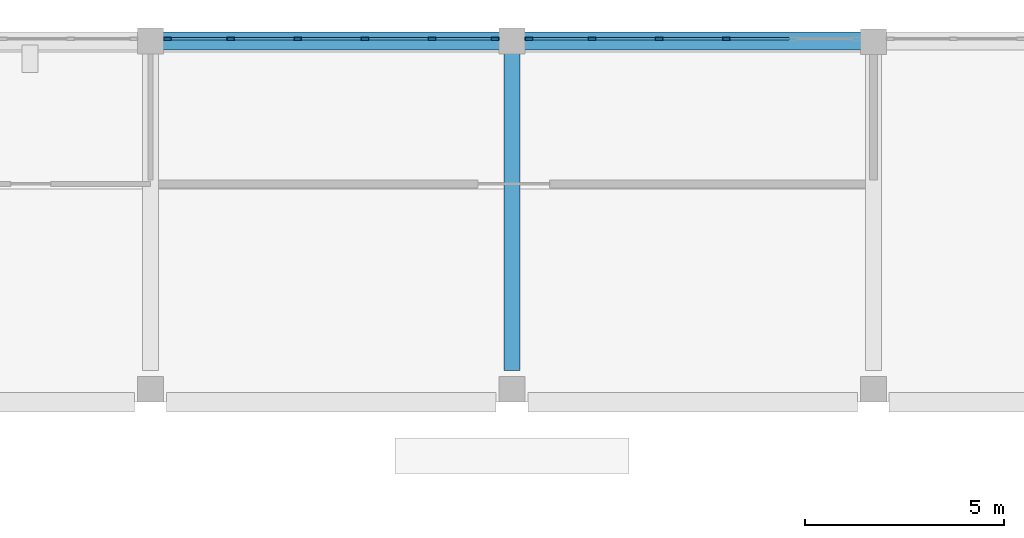
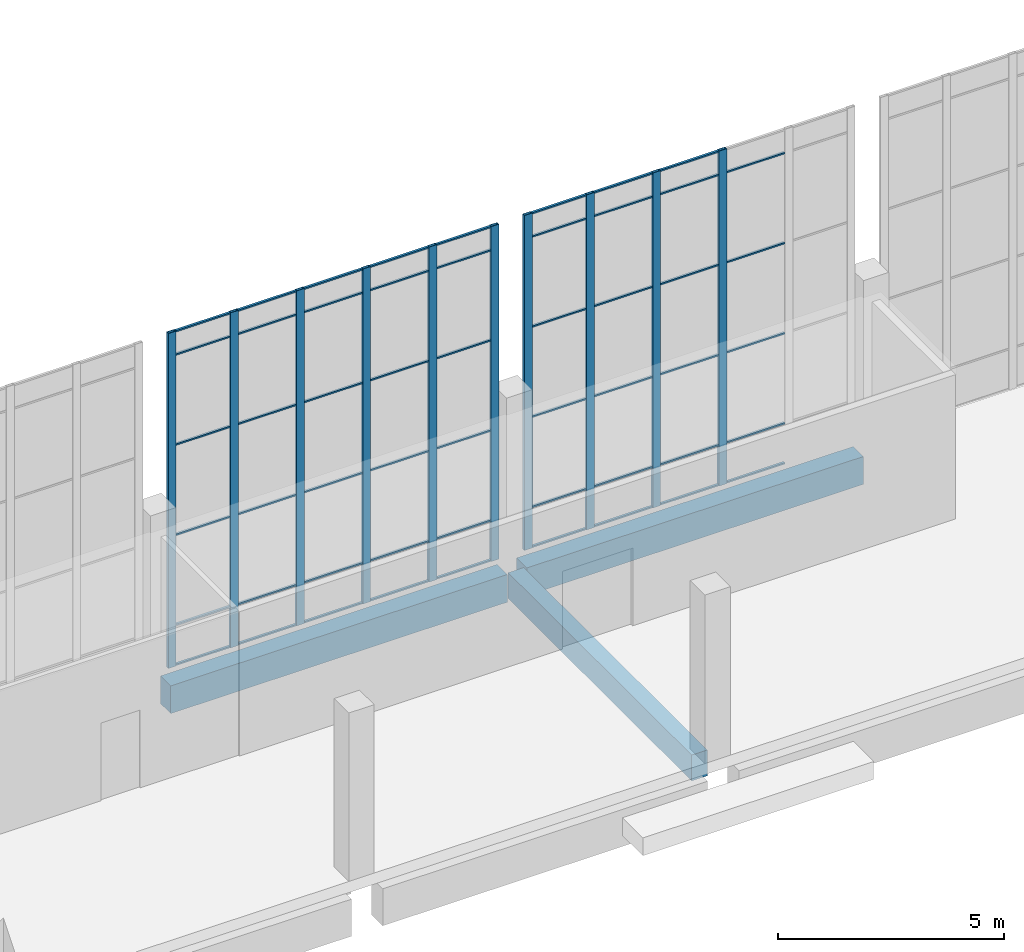
# One storey, part 21 of 91: 63 members, 3 beams, 2 elements without a shape of their own.
"""IFC4 building model written with IfcOpenShell, lengths in metres."""

from ifc_helpers import new_model, si_unit, direction, frame, origin, origin_2d, place, context, subcontext, project, spatial, rectangle, hollow_rectangle, extrude, material, layer, layer_set, material_profile, profile_set, type_object, element, aggregate, save


model = new_model("IFC4")

# Units and contexts
model_context = context("Model", 3, precision=1e-05, world=origin(), true_north=direction((0.0, 1.0)))
body_context = subcontext(model_context, "Body", "Model", "MODEL_VIEW")
ifc_project = project(units=[si_unit("LENGTHUNIT", "METRE"), si_unit("AREAUNIT", "SQUARE_METRE"), si_unit("VOLUMEUNIT", "CUBIC_METRE"), si_unit("PLANEANGLEUNIT", "RADIAN"), si_unit("MASSUNIT", "GRAM", prefix="KILO")], contexts=[model_context])

# Site, building, storey
site_placement = place(None, origin())
site = spatial("IfcSite", under=ifc_project, at=site_placement, CompositionType="ELEMENT")
building_placement = place(site_placement, origin())
building = spatial("IfcBuilding", under=site, at=building_placement, Name="Shirokan Park Arena", CompositionType="ELEMENT")
storey_placement = place(building_placement, frame((0.0, 0.0, 24.570068359375)))
storey = spatial("IfcBuildingStorey", under=building, at=storey_placement, Name="L05", CompositionType="ELEMENT", Elevation=24.570068359375)

# Curtain wall, members
ifc_material_1 = material(Name="Steel and glass curtain wall", Category="steel")
ifc_layer = layer(ifc_material_1, 0.199951171875)
ifc_layer_set = layer_set([ifc_layer], Name="Steel and glass curtain wall 200 mm")
curtain_wall_type = type_object("IfcCurtainWallType", Name="Curtain wall hall bay 200", PredefinedType="NOTDEFINED", material=ifc_layer_set)
curtain_wall_1_placement = place(storey_placement, origin())
curtain_wall_1 = element("IfcCurtainWall", 1, at=curtain_wall_1_placement, inside=storey, type_object=curtain_wall_type, Name="Curtain wall north bay 8 L05", PredefinedType="NOTDEFINED")
ifc_material_2 = material(Name="Steel S355", Category="steel")
ifc_material_profile_1 = material_profile(ifc_material_2, hollow_rectangle(XDim=0.080078125, YDim=0.199951171875, WallThickness=0.008056640625, at=origin_2d()), Name="RHS 200x80x8")
ifc_profile_set_1 = profile_set([ifc_material_profile_1], Name="Steel S355")
member_type_1 = type_object("IfcMemberType", Name="Mullion RHS 200x80x8", PredefinedType="MULLION", material=ifc_profile_set_1)
member_1_placement = place(storey_placement, frame((78.195068359375, 109.25, 0.0), z_axis=(0.0, 0.0, 1.0), x_axis=(0.0, -1.0, 0.0)))
member_1 = element("IfcMember", 2, at=member_1_placement, type_object=member_type_1, Name="CW5 mullion 3", PredefinedType="MULLION", context=body_context, shape_type="SweptSolid", body=[
    extrude(hollow_rectangle(XDim=0.080078125, YDim=0.199951171875, WallThickness=0.008056640625, at=origin_2d()), origin(), (0.0, 0.0, 1.0), 9.050048828125),
])
member_2_placement = place(storey_placement, frame((76.5048828125, 109.25, 0.0), z_axis=(0.0, 0.0, 1.0), x_axis=(0.0, -1.0, 0.0)))
member_2 = element("IfcMember", 3, at=member_2_placement, type_object=member_type_1, Name="CW5 mullion 4", PredefinedType="MULLION", context=body_context, shape_type="SweptSolid", body=[
    extrude(hollow_rectangle(XDim=0.080078125, YDim=0.199951171875, WallThickness=0.008056640625, at=origin_2d()), origin(), (0.0, 0.0, 1.0), 9.050048828125),
])
member_3_placement = place(storey_placement, frame((74.81494140625, 109.25, 0.0), z_axis=(0.0, 0.0, 1.0), x_axis=(0.0, -1.0, 0.0)))
member_3 = element("IfcMember", 4, at=member_3_placement, type_object=member_type_1, Name="CW5 mullion 5", PredefinedType="MULLION", context=body_context, shape_type="SweptSolid", body=[
    extrude(hollow_rectangle(XDim=0.080078125, YDim=0.199951171875, WallThickness=0.008056640625, at=origin_2d()), origin(), (0.0, 0.0, 1.0), 9.050048828125),
])
member_4_placement = place(storey_placement, frame((73.22509765625, 109.25, 0.0), z_axis=(0.0, 0.0, 1.0), x_axis=(0.0, -1.0, 0.0)))
member_4 = element("IfcMember", 5, at=member_4_placement, type_object=member_type_1, Name="CW5 mullion 6", PredefinedType="MULLION", context=body_context, shape_type="SweptSolid", body=[
    extrude(hollow_rectangle(XDim=0.080078125, YDim=0.199951171875, WallThickness=0.008056640625, at=origin_2d()), origin(), (0.0, 0.0, 1.0), 9.050048828125),
])

curtain_wall_2_placement = place(storey_placement, origin())
curtain_wall_2 = element("IfcCurtainWall", 6, at=curtain_wall_2_placement, inside=storey, type_object=curtain_wall_type, Name="Curtain wall north bay 9 L05", PredefinedType="NOTDEFINED")
member_5_placement = place(storey_placement, frame((72.375, 109.25, 0.0), z_axis=(0.0, 0.0, 1.0), x_axis=(0.0, -1.0, 0.0)))
member_5 = element("IfcMember", 7, at=member_5_placement, type_object=member_type_1, Name="CW5 mullion 1", PredefinedType="MULLION", context=body_context, shape_type="SweptSolid", body=[
    extrude(hollow_rectangle(XDim=0.080078125, YDim=0.199951171875, WallThickness=0.008056640625, at=origin_2d()), origin(), (0.0, 0.0, 1.0), 9.050048828125),
])
member_6_placement = place(storey_placement, frame((70.784912109375, 109.25, 0.0), z_axis=(0.0, 0.0, 1.0), x_axis=(0.0, -1.0, 0.0)))
member_6 = element("IfcMember", 8, at=member_6_placement, type_object=member_type_1, Name="CW5 mullion 2", PredefinedType="MULLION", context=body_context, shape_type="SweptSolid", body=[
    extrude(hollow_rectangle(XDim=0.080078125, YDim=0.199951171875, WallThickness=0.008056640625, at=origin_2d()), origin(), (0.0, 0.0, 1.0), 9.050048828125),
])
member_7_placement = place(storey_placement, frame((69.094970703125, 109.25, 0.0), z_axis=(0.0, 0.0, 1.0), x_axis=(0.0, -1.0, 0.0)))
member_7 = element("IfcMember", 9, at=member_7_placement, type_object=member_type_1, Name="CW5 mullion 3", PredefinedType="MULLION", context=body_context, shape_type="SweptSolid", body=[
    extrude(hollow_rectangle(XDim=0.080078125, YDim=0.199951171875, WallThickness=0.008056640625, at=origin_2d()), origin(), (0.0, 0.0, 1.0), 9.050048828125),
])
member_8_placement = place(storey_placement, frame((67.405029296875, 109.25, 0.0), z_axis=(0.0, 0.0, 1.0), x_axis=(0.0, -1.0, 0.0)))
member_8 = element("IfcMember", 10, at=member_8_placement, type_object=member_type_1, Name="CW5 mullion 4", PredefinedType="MULLION", context=body_context, shape_type="SweptSolid", body=[
    extrude(hollow_rectangle(XDim=0.080078125, YDim=0.199951171875, WallThickness=0.008056640625, at=origin_2d()), origin(), (0.0, 0.0, 1.0), 9.050048828125),
])
member_9_placement = place(storey_placement, frame((65.715087890625, 109.25, 0.0), z_axis=(0.0, 0.0, 1.0), x_axis=(0.0, -1.0, 0.0)))
member_9 = element("IfcMember", 11, at=member_9_placement, type_object=member_type_1, Name="CW5 mullion 5", PredefinedType="MULLION", context=body_context, shape_type="SweptSolid", body=[
    extrude(hollow_rectangle(XDim=0.080078125, YDim=0.199951171875, WallThickness=0.008056640625, at=origin_2d()), origin(), (0.0, 0.0, 1.0), 9.050048828125),
])
member_10_placement = place(storey_placement, frame((64.125, 109.25, 0.0), z_axis=(0.0, 0.0, 1.0), x_axis=(0.0, -1.0, 0.0)))
member_10 = element("IfcMember", 12, at=member_10_placement, type_object=member_type_1, Name="CW5 mullion 6", PredefinedType="MULLION", context=body_context, shape_type="SweptSolid", body=[
    extrude(hollow_rectangle(XDim=0.080078125, YDim=0.199951171875, WallThickness=0.008056640625, at=origin_2d()), origin(), (0.0, 0.0, 1.0), 9.050048828125),
])

# Beams
ifc_material_3 = material(Name="Concrete C35", Category="concrete")
ifc_material_profile_2 = material_profile(ifc_material_3, rectangle(XDim=0.39990234375, YDim=0.699951171875, at=origin_2d()), Name="400x700")
ifc_profile_set_2 = profile_set([ifc_material_profile_2], Name="Concrete C35")
beam_type_1 = type_object("IfcBeamType", Name="RC girder 400x700", PredefinedType="BEAM", material=ifc_profile_set_2)
beam_1_placement = place(storey_placement, frame((72.800048828125, 100.900146484375, -0.650146484375), z_axis=(0.0, 1.0, 0.0), x_axis=(-1.0, 0.0, 0.0)))
element("IfcBeam", 13, at=beam_1_placement, inside=storey, type_object=beam_type_1, Name="Girder 9M-9N L05", PredefinedType="BEAM", context=body_context, shape_type="SweptSolid", body=[
    extrude(rectangle(XDim=0.39990234375, YDim=0.699951171875, at=origin_2d()), origin(), (0.0, 0.0, 1.0), 8.124755859375),
])
ifc_material_profile_3 = material_profile(ifc_material_3, rectangle(XDim=0.449951171875, YDim=0.75, at=origin_2d()), Name="450x750")
ifc_profile_set_3 = profile_set([ifc_material_profile_3], Name="Concrete C35")
beam_type_2 = type_object("IfcBeamType", Name="RC girder 450x750", PredefinedType="BEAM", material=ifc_profile_set_3)
beam_2_placement = place(storey_placement, frame((63.9501953125, 109.199951171875, -0.675048828125), z_axis=(1.0, 0.0, 0.0), x_axis=(0.0, 1.0, 0.0)))
element("IfcBeam", 14, at=beam_2_placement, inside=storey, type_object=beam_type_2, Name="Girder 8N-9N L05", PredefinedType="BEAM", context=body_context, shape_type="SweptSolid", body=[
    extrude(rectangle(XDim=0.449951171875, YDim=0.75, at=origin_2d()), origin(), (0.0, 0.0, 1.0), 8.599609375),
])
beam_3_placement = place(storey_placement, frame((73.050048828125, 109.199951171875, -0.675048828125), z_axis=(1.0, 0.0, 0.0), x_axis=(0.0, 1.0, 0.0)))
element("IfcBeam", 15, at=beam_3_placement, inside=storey, type_object=beam_type_2, Name="Girder 9N-10N L05", PredefinedType="BEAM", context=body_context, shape_type="SweptSolid", body=[
    extrude(rectangle(XDim=0.449951171875, YDim=0.75, at=origin_2d()), origin(), (0.0, 0.0, 1.0), 8.599853515625),
])

# Member
ifc_material_profile_4 = material_profile(ifc_material_2, hollow_rectangle(XDim=0.06005859375, YDim=0.0400390625, WallThickness=0.00390625, at=origin_2d()), Name="RHS 60x40x4")
ifc_profile_set_4 = profile_set([ifc_material_profile_4], Name="Steel S355")
member_type_2 = type_object("IfcMemberType", Name="Transom RHS 60x40x4", PredefinedType="MULLION", material=ifc_profile_set_4)
member_11_placement = place(storey_placement, frame((79.784912109375, 109.25, 0.02001953125), z_axis=(-1.0, 0.0, 0.0), x_axis=(0.0, -1.0, 0.0)))
member_11 = element("IfcMember", 16, at=member_11_placement, type_object=member_type_2, Name="CW5 transom 2.1", PredefinedType="MULLION", context=body_context, shape_type="SweptSolid", body=[
    extrude(hollow_rectangle(XDim=0.06005859375, YDim=0.0400390625, WallThickness=0.00390625, at=origin_2d()), origin(), (0.0, 0.0, 1.0), 1.489990234375),
])

member_12_placement = place(storey_placement, frame((79.784912109375, 109.25, 1.099853515625), z_axis=(-1.0, 0.0, 0.0), x_axis=(0.0, -1.0, 0.0)))
member_12 = element("IfcMember", 17, at=member_12_placement, type_object=member_type_2, Name="CW5 transom 2.2", PredefinedType="MULLION", context=body_context, shape_type="SweptSolid", body=[
    extrude(hollow_rectangle(XDim=0.06005859375, YDim=0.0400390625, WallThickness=0.00390625, at=origin_2d()), origin(), (0.0, 0.0, 1.0), 1.489990234375),
])

member_13_placement = place(storey_placement, frame((79.784912109375, 109.25, 3.533203125), z_axis=(-1.0, 0.0, 0.0), x_axis=(0.0, -1.0, 0.0)))
member_13 = element("IfcMember", 18, at=member_13_placement, type_object=member_type_2, Name="CW5 transom 2.3", PredefinedType="MULLION", context=body_context, shape_type="SweptSolid", body=[
    extrude(hollow_rectangle(XDim=0.06005859375, YDim=0.0400390625, WallThickness=0.00390625, at=origin_2d()), origin(), (0.0, 0.0, 1.0), 1.489990234375),
])

member_14_placement = place(storey_placement, frame((79.784912109375, 109.25, 5.966552734375), z_axis=(-1.0, 0.0, 0.0), x_axis=(0.0, -1.0, 0.0)))
member_14 = element("IfcMember", 19, at=member_14_placement, type_object=member_type_2, Name="CW5 transom 2.4", PredefinedType="MULLION", context=body_context, shape_type="SweptSolid", body=[
    extrude(hollow_rectangle(XDim=0.06005859375, YDim=0.0400390625, WallThickness=0.00390625, at=origin_2d()), origin(), (0.0, 0.0, 1.0), 1.489990234375),
])

member_15_placement = place(storey_placement, frame((79.784912109375, 109.25, 8.39990234375), z_axis=(-1.0, 0.0, 0.0), x_axis=(0.0, -1.0, 0.0)))
member_15 = element("IfcMember", 20, at=member_15_placement, type_object=member_type_2, Name="CW5 transom 2.5", PredefinedType="MULLION", context=body_context, shape_type="SweptSolid", body=[
    extrude(hollow_rectangle(XDim=0.06005859375, YDim=0.0400390625, WallThickness=0.00390625, at=origin_2d()), origin(), (0.0, 0.0, 1.0), 1.489990234375),
])

member_16_placement = place(storey_placement, frame((78.094970703125, 109.25, 0.02001953125), z_axis=(-1.0, 0.0, 0.0), x_axis=(0.0, -1.0, 0.0)))
member_16 = element("IfcMember", 21, at=member_16_placement, type_object=member_type_2, Name="CW5 transom 3.1", PredefinedType="MULLION", context=body_context, shape_type="SweptSolid", body=[
    extrude(hollow_rectangle(XDim=0.06005859375, YDim=0.0400390625, WallThickness=0.00390625, at=origin_2d()), origin(), (0.0, 0.0, 1.0), 1.489990234375),
])

member_17_placement = place(storey_placement, frame((78.094970703125, 109.25, 1.099853515625), z_axis=(-1.0, 0.0, 0.0), x_axis=(0.0, -1.0, 0.0)))
member_17 = element("IfcMember", 22, at=member_17_placement, type_object=member_type_2, Name="CW5 transom 3.2", PredefinedType="MULLION", context=body_context, shape_type="SweptSolid", body=[
    extrude(hollow_rectangle(XDim=0.06005859375, YDim=0.0400390625, WallThickness=0.00390625, at=origin_2d()), origin(), (0.0, 0.0, 1.0), 1.489990234375),
])

member_18_placement = place(storey_placement, frame((78.094970703125, 109.25, 3.533203125), z_axis=(-1.0, 0.0, 0.0), x_axis=(0.0, -1.0, 0.0)))
member_18 = element("IfcMember", 23, at=member_18_placement, type_object=member_type_2, Name="CW5 transom 3.3", PredefinedType="MULLION", context=body_context, shape_type="SweptSolid", body=[
    extrude(hollow_rectangle(XDim=0.06005859375, YDim=0.0400390625, WallThickness=0.00390625, at=origin_2d()), origin(), (0.0, 0.0, 1.0), 1.489990234375),
])

member_19_placement = place(storey_placement, frame((78.094970703125, 109.25, 5.966552734375), z_axis=(-1.0, 0.0, 0.0), x_axis=(0.0, -1.0, 0.0)))
member_19 = element("IfcMember", 24, at=member_19_placement, type_object=member_type_2, Name="CW5 transom 3.4", PredefinedType="MULLION", context=body_context, shape_type="SweptSolid", body=[
    extrude(hollow_rectangle(XDim=0.06005859375, YDim=0.0400390625, WallThickness=0.00390625, at=origin_2d()), origin(), (0.0, 0.0, 1.0), 1.489990234375),
])

member_20_placement = place(storey_placement, frame((78.094970703125, 109.25, 8.39990234375), z_axis=(-1.0, 0.0, 0.0), x_axis=(0.0, -1.0, 0.0)))
member_20 = element("IfcMember", 25, at=member_20_placement, type_object=member_type_2, Name="CW5 transom 3.5", PredefinedType="MULLION", context=body_context, shape_type="SweptSolid", body=[
    extrude(hollow_rectangle(XDim=0.06005859375, YDim=0.0400390625, WallThickness=0.00390625, at=origin_2d()), origin(), (0.0, 0.0, 1.0), 1.489990234375),
])

member_21_placement = place(storey_placement, frame((78.094970703125, 109.25, 9.030029296875), z_axis=(-1.0, 0.0, 0.0), x_axis=(0.0, -1.0, 0.0)))
member_21 = element("IfcMember", 26, at=member_21_placement, type_object=member_type_2, Name="CW5 transom 3.6", PredefinedType="MULLION", context=body_context, shape_type="SweptSolid", body=[
    extrude(hollow_rectangle(XDim=0.06005859375, YDim=0.0400390625, WallThickness=0.00390625, at=origin_2d()), origin(), (0.0, 0.0, 1.0), 1.489990234375),
])

member_22_placement = place(storey_placement, frame((76.405029296875, 109.25, 0.02001953125), z_axis=(-1.0, 0.0, 0.0), x_axis=(0.0, -1.0, 0.0)))
member_22 = element("IfcMember", 27, at=member_22_placement, type_object=member_type_2, Name="CW5 transom 4.1", PredefinedType="MULLION", context=body_context, shape_type="SweptSolid", body=[
    extrude(hollow_rectangle(XDim=0.06005859375, YDim=0.0400390625, WallThickness=0.00390625, at=origin_2d()), origin(), (0.0, 0.0, 1.0), 1.489990234375),
])

member_23_placement = place(storey_placement, frame((76.405029296875, 109.25, 1.099853515625), z_axis=(-1.0, 0.0, 0.0), x_axis=(0.0, -1.0, 0.0)))
member_23 = element("IfcMember", 28, at=member_23_placement, type_object=member_type_2, Name="CW5 transom 4.2", PredefinedType="MULLION", context=body_context, shape_type="SweptSolid", body=[
    extrude(hollow_rectangle(XDim=0.06005859375, YDim=0.0400390625, WallThickness=0.00390625, at=origin_2d()), origin(), (0.0, 0.0, 1.0), 1.489990234375),
])

member_24_placement = place(storey_placement, frame((76.405029296875, 109.25, 3.533203125), z_axis=(-1.0, 0.0, 0.0), x_axis=(0.0, -1.0, 0.0)))
member_24 = element("IfcMember", 29, at=member_24_placement, type_object=member_type_2, Name="CW5 transom 4.3", PredefinedType="MULLION", context=body_context, shape_type="SweptSolid", body=[
    extrude(hollow_rectangle(XDim=0.06005859375, YDim=0.0400390625, WallThickness=0.00390625, at=origin_2d()), origin(), (0.0, 0.0, 1.0), 1.489990234375),
])

member_25_placement = place(storey_placement, frame((76.405029296875, 109.25, 5.966552734375), z_axis=(-1.0, 0.0, 0.0), x_axis=(0.0, -1.0, 0.0)))
member_25 = element("IfcMember", 30, at=member_25_placement, type_object=member_type_2, Name="CW5 transom 4.4", PredefinedType="MULLION", context=body_context, shape_type="SweptSolid", body=[
    extrude(hollow_rectangle(XDim=0.06005859375, YDim=0.0400390625, WallThickness=0.00390625, at=origin_2d()), origin(), (0.0, 0.0, 1.0), 1.489990234375),
])

member_26_placement = place(storey_placement, frame((76.405029296875, 109.25, 8.39990234375), z_axis=(-1.0, 0.0, 0.0), x_axis=(0.0, -1.0, 0.0)))
member_26 = element("IfcMember", 31, at=member_26_placement, type_object=member_type_2, Name="CW5 transom 4.5", PredefinedType="MULLION", context=body_context, shape_type="SweptSolid", body=[
    extrude(hollow_rectangle(XDim=0.06005859375, YDim=0.0400390625, WallThickness=0.00390625, at=origin_2d()), origin(), (0.0, 0.0, 1.0), 1.489990234375),
])

member_27_placement = place(storey_placement, frame((76.405029296875, 109.25, 9.030029296875), z_axis=(-1.0, 0.0, 0.0), x_axis=(0.0, -1.0, 0.0)))
member_27 = element("IfcMember", 32, at=member_27_placement, type_object=member_type_2, Name="CW5 transom 4.6", PredefinedType="MULLION", context=body_context, shape_type="SweptSolid", body=[
    extrude(hollow_rectangle(XDim=0.06005859375, YDim=0.0400390625, WallThickness=0.00390625, at=origin_2d()), origin(), (0.0, 0.0, 1.0), 1.489990234375),
])

member_28_placement = place(storey_placement, frame((74.715087890625, 109.25, 0.02001953125), z_axis=(-1.0, 0.0, 0.0), x_axis=(0.0, -1.0, 0.0)))
member_28 = element("IfcMember", 33, at=member_28_placement, type_object=member_type_2, Name="CW5 transom 5.1", PredefinedType="MULLION", context=body_context, shape_type="SweptSolid", body=[
    extrude(hollow_rectangle(XDim=0.06005859375, YDim=0.0400390625, WallThickness=0.00390625, at=origin_2d()), origin(), (0.0, 0.0, 1.0), 1.39013671875),
])

member_29_placement = place(storey_placement, frame((74.715087890625, 109.25, 1.099853515625), z_axis=(-1.0, 0.0, 0.0), x_axis=(0.0, -1.0, 0.0)))
member_29 = element("IfcMember", 34, at=member_29_placement, type_object=member_type_2, Name="CW5 transom 5.2", PredefinedType="MULLION", context=body_context, shape_type="SweptSolid", body=[
    extrude(hollow_rectangle(XDim=0.06005859375, YDim=0.0400390625, WallThickness=0.00390625, at=origin_2d()), origin(), (0.0, 0.0, 1.0), 1.39013671875),
])

member_30_placement = place(storey_placement, frame((74.715087890625, 109.25, 3.533203125), z_axis=(-1.0, 0.0, 0.0), x_axis=(0.0, -1.0, 0.0)))
member_30 = element("IfcMember", 35, at=member_30_placement, type_object=member_type_2, Name="CW5 transom 5.3", PredefinedType="MULLION", context=body_context, shape_type="SweptSolid", body=[
    extrude(hollow_rectangle(XDim=0.06005859375, YDim=0.0400390625, WallThickness=0.00390625, at=origin_2d()), origin(), (0.0, 0.0, 1.0), 1.39013671875),
])

member_31_placement = place(storey_placement, frame((74.715087890625, 109.25, 5.966552734375), z_axis=(-1.0, 0.0, 0.0), x_axis=(0.0, -1.0, 0.0)))
member_31 = element("IfcMember", 36, at=member_31_placement, type_object=member_type_2, Name="CW5 transom 5.4", PredefinedType="MULLION", context=body_context, shape_type="SweptSolid", body=[
    extrude(hollow_rectangle(XDim=0.06005859375, YDim=0.0400390625, WallThickness=0.00390625, at=origin_2d()), origin(), (0.0, 0.0, 1.0), 1.39013671875),
])

member_32_placement = place(storey_placement, frame((74.715087890625, 109.25, 8.39990234375), z_axis=(-1.0, 0.0, 0.0), x_axis=(0.0, -1.0, 0.0)))
member_32 = element("IfcMember", 37, at=member_32_placement, type_object=member_type_2, Name="CW5 transom 5.5", PredefinedType="MULLION", context=body_context, shape_type="SweptSolid", body=[
    extrude(hollow_rectangle(XDim=0.06005859375, YDim=0.0400390625, WallThickness=0.00390625, at=origin_2d()), origin(), (0.0, 0.0, 1.0), 1.39013671875),
])

member_33_placement = place(storey_placement, frame((74.715087890625, 109.25, 9.030029296875), z_axis=(-1.0, 0.0, 0.0), x_axis=(0.0, -1.0, 0.0)))
member_33 = element("IfcMember", 38, at=member_33_placement, type_object=member_type_2, Name="CW5 transom 5.6", PredefinedType="MULLION", context=body_context, shape_type="SweptSolid", body=[
    extrude(hollow_rectangle(XDim=0.06005859375, YDim=0.0400390625, WallThickness=0.00390625, at=origin_2d()), origin(), (0.0, 0.0, 1.0), 1.39013671875),
])

aggregate(curtain_wall_1, [member_1, member_2, member_3, member_4, member_11, member_12, member_13, member_14, member_15, member_16, member_17, member_18, member_19, member_20, member_21, member_22, member_23, member_24, member_25, member_26, member_27, member_28, member_29, member_30, member_31, member_32, member_33])

member_34_placement = place(storey_placement, frame((72.27490234375, 109.25, 0.02001953125), z_axis=(-1.0, 0.0, 0.0), x_axis=(0.0, -1.0, 0.0)))
member_34 = element("IfcMember", 39, at=member_34_placement, type_object=member_type_2, Name="CW5 transom 1.1", PredefinedType="MULLION", context=body_context, shape_type="SweptSolid", body=[
    extrude(hollow_rectangle(XDim=0.06005859375, YDim=0.0400390625, WallThickness=0.00390625, at=origin_2d()), origin(), (0.0, 0.0, 1.0), 1.389892578125),
])

member_35_placement = place(storey_placement, frame((72.27490234375, 109.25, 1.099853515625), z_axis=(-1.0, 0.0, 0.0), x_axis=(0.0, -1.0, 0.0)))
member_35 = element("IfcMember", 40, at=member_35_placement, type_object=member_type_2, Name="CW5 transom 1.2", PredefinedType="MULLION", context=body_context, shape_type="SweptSolid", body=[
    extrude(hollow_rectangle(XDim=0.06005859375, YDim=0.0400390625, WallThickness=0.00390625, at=origin_2d()), origin(), (0.0, 0.0, 1.0), 1.389892578125),
])

member_36_placement = place(storey_placement, frame((72.27490234375, 109.25, 3.533203125), z_axis=(-1.0, 0.0, 0.0), x_axis=(0.0, -1.0, 0.0)))
member_36 = element("IfcMember", 41, at=member_36_placement, type_object=member_type_2, Name="CW5 transom 1.3", PredefinedType="MULLION", context=body_context, shape_type="SweptSolid", body=[
    extrude(hollow_rectangle(XDim=0.06005859375, YDim=0.0400390625, WallThickness=0.00390625, at=origin_2d()), origin(), (0.0, 0.0, 1.0), 1.389892578125),
])

member_37_placement = place(storey_placement, frame((72.27490234375, 109.25, 5.966552734375), z_axis=(-1.0, 0.0, 0.0), x_axis=(0.0, -1.0, 0.0)))
member_37 = element("IfcMember", 42, at=member_37_placement, type_object=member_type_2, Name="CW5 transom 1.4", PredefinedType="MULLION", context=body_context, shape_type="SweptSolid", body=[
    extrude(hollow_rectangle(XDim=0.06005859375, YDim=0.0400390625, WallThickness=0.00390625, at=origin_2d()), origin(), (0.0, 0.0, 1.0), 1.389892578125),
])

member_38_placement = place(storey_placement, frame((72.27490234375, 109.25, 8.39990234375), z_axis=(-1.0, 0.0, 0.0), x_axis=(0.0, -1.0, 0.0)))
member_38 = element("IfcMember", 43, at=member_38_placement, type_object=member_type_2, Name="CW5 transom 1.5", PredefinedType="MULLION", context=body_context, shape_type="SweptSolid", body=[
    extrude(hollow_rectangle(XDim=0.06005859375, YDim=0.0400390625, WallThickness=0.00390625, at=origin_2d()), origin(), (0.0, 0.0, 1.0), 1.389892578125),
])

member_39_placement = place(storey_placement, frame((72.27490234375, 109.25, 9.030029296875), z_axis=(-1.0, 0.0, 0.0), x_axis=(0.0, -1.0, 0.0)))
member_39 = element("IfcMember", 44, at=member_39_placement, type_object=member_type_2, Name="CW5 transom 1.6", PredefinedType="MULLION", context=body_context, shape_type="SweptSolid", body=[
    extrude(hollow_rectangle(XDim=0.06005859375, YDim=0.0400390625, WallThickness=0.00390625, at=origin_2d()), origin(), (0.0, 0.0, 1.0), 1.389892578125),
])

member_40_placement = place(storey_placement, frame((70.68505859375, 109.25, 0.02001953125), z_axis=(-1.0, 0.0, 0.0), x_axis=(0.0, -1.0, 0.0)))
member_40 = element("IfcMember", 45, at=member_40_placement, type_object=member_type_2, Name="CW5 transom 2.1", PredefinedType="MULLION", context=body_context, shape_type="SweptSolid", body=[
    extrude(hollow_rectangle(XDim=0.06005859375, YDim=0.0400390625, WallThickness=0.00390625, at=origin_2d()), origin(), (0.0, 0.0, 1.0), 1.489990234375),
])

member_41_placement = place(storey_placement, frame((70.68505859375, 109.25, 1.099853515625), z_axis=(-1.0, 0.0, 0.0), x_axis=(0.0, -1.0, 0.0)))
member_41 = element("IfcMember", 46, at=member_41_placement, type_object=member_type_2, Name="CW5 transom 2.2", PredefinedType="MULLION", context=body_context, shape_type="SweptSolid", body=[
    extrude(hollow_rectangle(XDim=0.06005859375, YDim=0.0400390625, WallThickness=0.00390625, at=origin_2d()), origin(), (0.0, 0.0, 1.0), 1.489990234375),
])

member_42_placement = place(storey_placement, frame((70.68505859375, 109.25, 3.533203125), z_axis=(-1.0, 0.0, 0.0), x_axis=(0.0, -1.0, 0.0)))
member_42 = element("IfcMember", 47, at=member_42_placement, type_object=member_type_2, Name="CW5 transom 2.3", PredefinedType="MULLION", context=body_context, shape_type="SweptSolid", body=[
    extrude(hollow_rectangle(XDim=0.06005859375, YDim=0.0400390625, WallThickness=0.00390625, at=origin_2d()), origin(), (0.0, 0.0, 1.0), 1.489990234375),
])

member_43_placement = place(storey_placement, frame((70.68505859375, 109.25, 5.966552734375), z_axis=(-1.0, 0.0, 0.0), x_axis=(0.0, -1.0, 0.0)))
member_43 = element("IfcMember", 48, at=member_43_placement, type_object=member_type_2, Name="CW5 transom 2.4", PredefinedType="MULLION", context=body_context, shape_type="SweptSolid", body=[
    extrude(hollow_rectangle(XDim=0.06005859375, YDim=0.0400390625, WallThickness=0.00390625, at=origin_2d()), origin(), (0.0, 0.0, 1.0), 1.489990234375),
])

member_44_placement = place(storey_placement, frame((70.68505859375, 109.25, 8.39990234375), z_axis=(-1.0, 0.0, 0.0), x_axis=(0.0, -1.0, 0.0)))
member_44 = element("IfcMember", 49, at=member_44_placement, type_object=member_type_2, Name="CW5 transom 2.5", PredefinedType="MULLION", context=body_context, shape_type="SweptSolid", body=[
    extrude(hollow_rectangle(XDim=0.06005859375, YDim=0.0400390625, WallThickness=0.00390625, at=origin_2d()), origin(), (0.0, 0.0, 1.0), 1.489990234375),
])

member_45_placement = place(storey_placement, frame((70.68505859375, 109.25, 9.030029296875), z_axis=(-1.0, 0.0, 0.0), x_axis=(0.0, -1.0, 0.0)))
member_45 = element("IfcMember", 50, at=member_45_placement, type_object=member_type_2, Name="CW5 transom 2.6", PredefinedType="MULLION", context=body_context, shape_type="SweptSolid", body=[
    extrude(hollow_rectangle(XDim=0.06005859375, YDim=0.0400390625, WallThickness=0.00390625, at=origin_2d()), origin(), (0.0, 0.0, 1.0), 1.489990234375),
])

member_46_placement = place(storey_placement, frame((68.9951171875, 109.25, 0.02001953125), z_axis=(-1.0, 0.0, 0.0), x_axis=(0.0, -1.0, 0.0)))
member_46 = element("IfcMember", 51, at=member_46_placement, type_object=member_type_2, Name="CW5 transom 3.1", PredefinedType="MULLION", context=body_context, shape_type="SweptSolid", body=[
    extrude(hollow_rectangle(XDim=0.06005859375, YDim=0.0400390625, WallThickness=0.00390625, at=origin_2d()), origin(), (0.0, 0.0, 1.0), 1.490234375),
])

member_47_placement = place(storey_placement, frame((68.9951171875, 109.25, 1.099853515625), z_axis=(-1.0, 0.0, 0.0), x_axis=(0.0, -1.0, 0.0)))
member_47 = element("IfcMember", 52, at=member_47_placement, type_object=member_type_2, Name="CW5 transom 3.2", PredefinedType="MULLION", context=body_context, shape_type="SweptSolid", body=[
    extrude(hollow_rectangle(XDim=0.06005859375, YDim=0.0400390625, WallThickness=0.00390625, at=origin_2d()), origin(), (0.0, 0.0, 1.0), 1.490234375),
])

member_48_placement = place(storey_placement, frame((68.9951171875, 109.25, 3.533203125), z_axis=(-1.0, 0.0, 0.0), x_axis=(0.0, -1.0, 0.0)))
member_48 = element("IfcMember", 53, at=member_48_placement, type_object=member_type_2, Name="CW5 transom 3.3", PredefinedType="MULLION", context=body_context, shape_type="SweptSolid", body=[
    extrude(hollow_rectangle(XDim=0.06005859375, YDim=0.0400390625, WallThickness=0.00390625, at=origin_2d()), origin(), (0.0, 0.0, 1.0), 1.490234375),
])

member_49_placement = place(storey_placement, frame((68.9951171875, 109.25, 5.966552734375), z_axis=(-1.0, 0.0, 0.0), x_axis=(0.0, -1.0, 0.0)))
member_49 = element("IfcMember", 54, at=member_49_placement, type_object=member_type_2, Name="CW5 transom 3.4", PredefinedType="MULLION", context=body_context, shape_type="SweptSolid", body=[
    extrude(hollow_rectangle(XDim=0.06005859375, YDim=0.0400390625, WallThickness=0.00390625, at=origin_2d()), origin(), (0.0, 0.0, 1.0), 1.490234375),
])

member_50_placement = place(storey_placement, frame((68.9951171875, 109.25, 8.39990234375), z_axis=(-1.0, 0.0, 0.0), x_axis=(0.0, -1.0, 0.0)))
member_50 = element("IfcMember", 55, at=member_50_placement, type_object=member_type_2, Name="CW5 transom 3.5", PredefinedType="MULLION", context=body_context, shape_type="SweptSolid", body=[
    extrude(hollow_rectangle(XDim=0.06005859375, YDim=0.0400390625, WallThickness=0.00390625, at=origin_2d()), origin(), (0.0, 0.0, 1.0), 1.490234375),
])

member_51_placement = place(storey_placement, frame((68.9951171875, 109.25, 9.030029296875), z_axis=(-1.0, 0.0, 0.0), x_axis=(0.0, -1.0, 0.0)))
member_51 = element("IfcMember", 56, at=member_51_placement, type_object=member_type_2, Name="CW5 transom 3.6", PredefinedType="MULLION", context=body_context, shape_type="SweptSolid", body=[
    extrude(hollow_rectangle(XDim=0.06005859375, YDim=0.0400390625, WallThickness=0.00390625, at=origin_2d()), origin(), (0.0, 0.0, 1.0), 1.490234375),
])

member_52_placement = place(storey_placement, frame((67.304931640625, 109.25, 0.02001953125), z_axis=(-1.0, 0.0, 0.0), x_axis=(0.0, -1.0, 0.0)))
member_52 = element("IfcMember", 57, at=member_52_placement, type_object=member_type_2, Name="CW5 transom 4.1", PredefinedType="MULLION", context=body_context, shape_type="SweptSolid", body=[
    extrude(hollow_rectangle(XDim=0.06005859375, YDim=0.0400390625, WallThickness=0.00390625, at=origin_2d()), origin(), (0.0, 0.0, 1.0), 1.489990234375),
])

member_53_placement = place(storey_placement, frame((67.304931640625, 109.25, 1.099853515625), z_axis=(-1.0, 0.0, 0.0), x_axis=(0.0, -1.0, 0.0)))
member_53 = element("IfcMember", 58, at=member_53_placement, type_object=member_type_2, Name="CW5 transom 4.2", PredefinedType="MULLION", context=body_context, shape_type="SweptSolid", body=[
    extrude(hollow_rectangle(XDim=0.06005859375, YDim=0.0400390625, WallThickness=0.00390625, at=origin_2d()), origin(), (0.0, 0.0, 1.0), 1.489990234375),
])

member_54_placement = place(storey_placement, frame((67.304931640625, 109.25, 3.533203125), z_axis=(-1.0, 0.0, 0.0), x_axis=(0.0, -1.0, 0.0)))
member_54 = element("IfcMember", 59, at=member_54_placement, type_object=member_type_2, Name="CW5 transom 4.3", PredefinedType="MULLION", context=body_context, shape_type="SweptSolid", body=[
    extrude(hollow_rectangle(XDim=0.06005859375, YDim=0.0400390625, WallThickness=0.00390625, at=origin_2d()), origin(), (0.0, 0.0, 1.0), 1.489990234375),
])

member_55_placement = place(storey_placement, frame((67.304931640625, 109.25, 5.966552734375), z_axis=(-1.0, 0.0, 0.0), x_axis=(0.0, -1.0, 0.0)))
member_55 = element("IfcMember", 60, at=member_55_placement, type_object=member_type_2, Name="CW5 transom 4.4", PredefinedType="MULLION", context=body_context, shape_type="SweptSolid", body=[
    extrude(hollow_rectangle(XDim=0.06005859375, YDim=0.0400390625, WallThickness=0.00390625, at=origin_2d()), origin(), (0.0, 0.0, 1.0), 1.489990234375),
])

member_56_placement = place(storey_placement, frame((67.304931640625, 109.25, 8.39990234375), z_axis=(-1.0, 0.0, 0.0), x_axis=(0.0, -1.0, 0.0)))
member_56 = element("IfcMember", 61, at=member_56_placement, type_object=member_type_2, Name="CW5 transom 4.5", PredefinedType="MULLION", context=body_context, shape_type="SweptSolid", body=[
    extrude(hollow_rectangle(XDim=0.06005859375, YDim=0.0400390625, WallThickness=0.00390625, at=origin_2d()), origin(), (0.0, 0.0, 1.0), 1.489990234375),
])

member_57_placement = place(storey_placement, frame((67.304931640625, 109.25, 9.030029296875), z_axis=(-1.0, 0.0, 0.0), x_axis=(0.0, -1.0, 0.0)))
member_57 = element("IfcMember", 62, at=member_57_placement, type_object=member_type_2, Name="CW5 transom 4.6", PredefinedType="MULLION", context=body_context, shape_type="SweptSolid", body=[
    extrude(hollow_rectangle(XDim=0.06005859375, YDim=0.0400390625, WallThickness=0.00390625, at=origin_2d()), origin(), (0.0, 0.0, 1.0), 1.489990234375),
])

member_58_placement = place(storey_placement, frame((65.614990234375, 109.25, 0.02001953125), z_axis=(-1.0, 0.0, 0.0), x_axis=(0.0, -1.0, 0.0)))
member_58 = element("IfcMember", 63, at=member_58_placement, type_object=member_type_2, Name="CW5 transom 5.1", PredefinedType="MULLION", context=body_context, shape_type="SweptSolid", body=[
    extrude(hollow_rectangle(XDim=0.06005859375, YDim=0.0400390625, WallThickness=0.00390625, at=origin_2d()), origin(), (0.0, 0.0, 1.0), 1.389892578125),
])

member_59_placement = place(storey_placement, frame((65.614990234375, 109.25, 1.099853515625), z_axis=(-1.0, 0.0, 0.0), x_axis=(0.0, -1.0, 0.0)))
member_59 = element("IfcMember", 64, at=member_59_placement, type_object=member_type_2, Name="CW5 transom 5.2", PredefinedType="MULLION", context=body_context, shape_type="SweptSolid", body=[
    extrude(hollow_rectangle(XDim=0.06005859375, YDim=0.0400390625, WallThickness=0.00390625, at=origin_2d()), origin(), (0.0, 0.0, 1.0), 1.389892578125),
])

member_60_placement = place(storey_placement, frame((65.614990234375, 109.25, 3.533203125), z_axis=(-1.0, 0.0, 0.0), x_axis=(0.0, -1.0, 0.0)))
member_60 = element("IfcMember", 65, at=member_60_placement, type_object=member_type_2, Name="CW5 transom 5.3", PredefinedType="MULLION", context=body_context, shape_type="SweptSolid", body=[
    extrude(hollow_rectangle(XDim=0.06005859375, YDim=0.0400390625, WallThickness=0.00390625, at=origin_2d()), origin(), (0.0, 0.0, 1.0), 1.389892578125),
])

member_61_placement = place(storey_placement, frame((65.614990234375, 109.25, 5.966552734375), z_axis=(-1.0, 0.0, 0.0), x_axis=(0.0, -1.0, 0.0)))
member_61 = element("IfcMember", 66, at=member_61_placement, type_object=member_type_2, Name="CW5 transom 5.4", PredefinedType="MULLION", context=body_context, shape_type="SweptSolid", body=[
    extrude(hollow_rectangle(XDim=0.06005859375, YDim=0.0400390625, WallThickness=0.00390625, at=origin_2d()), origin(), (0.0, 0.0, 1.0), 1.389892578125),
])

member_62_placement = place(storey_placement, frame((65.614990234375, 109.25, 8.39990234375), z_axis=(-1.0, 0.0, 0.0), x_axis=(0.0, -1.0, 0.0)))
member_62 = element("IfcMember", 67, at=member_62_placement, type_object=member_type_2, Name="CW5 transom 5.5", PredefinedType="MULLION", context=body_context, shape_type="SweptSolid", body=[
    extrude(hollow_rectangle(XDim=0.06005859375, YDim=0.0400390625, WallThickness=0.00390625, at=origin_2d()), origin(), (0.0, 0.0, 1.0), 1.389892578125),
])

member_63_placement = place(storey_placement, frame((65.614990234375, 109.25, 9.030029296875), z_axis=(-1.0, 0.0, 0.0), x_axis=(0.0, -1.0, 0.0)))
member_63 = element("IfcMember", 68, at=member_63_placement, type_object=member_type_2, Name="CW5 transom 5.6", PredefinedType="MULLION", context=body_context, shape_type="SweptSolid", body=[
    extrude(hollow_rectangle(XDim=0.06005859375, YDim=0.0400390625, WallThickness=0.00390625, at=origin_2d()), origin(), (0.0, 0.0, 1.0), 1.389892578125),
])

aggregate(curtain_wall_2, [member_5, member_6, member_7, member_8, member_9, member_10, member_34, member_35, member_36, member_37, member_38, member_39, member_40, member_41, member_42, member_43, member_44, member_45, member_46, member_47, member_48, member_49, member_50, member_51, member_52, member_53, member_54, member_55, member_56, member_57, member_58, member_59, member_60, member_61, member_62, member_63])

save(model, "model.ifc")
